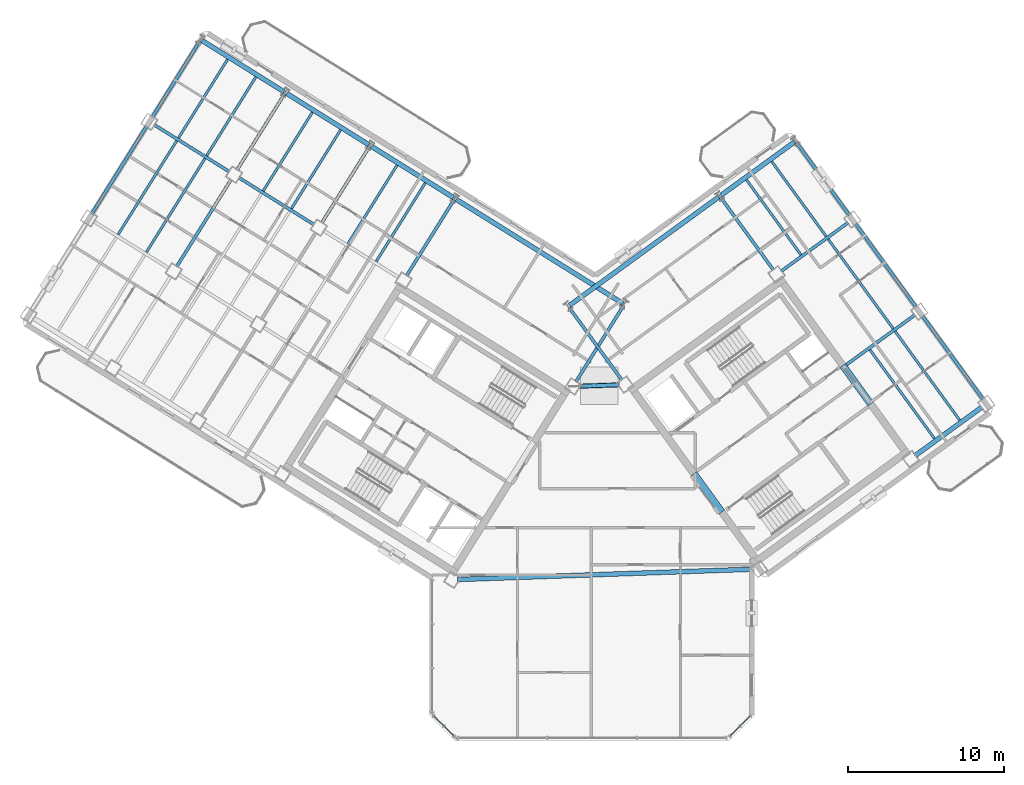
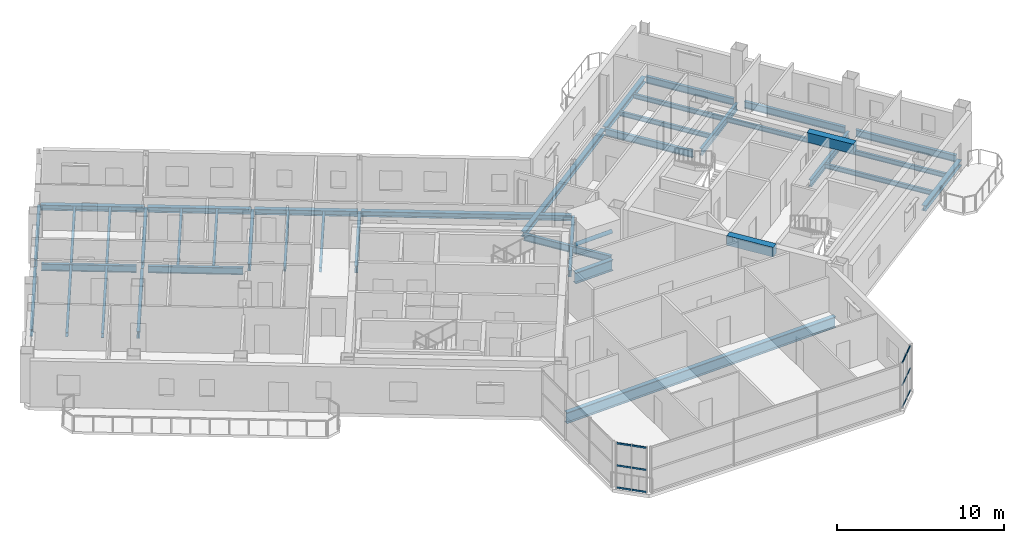
# One storey, part 7 of 23: 40 beams, 13 members, 2 elements without a shape of their own.
"""IFC4 building model written with IfcOpenShell, lengths in metres."""

from ifc_helpers import new_model, si_unit, direction, frame, origin, origin_2d, place, context, subcontext, project, spatial, rectangle, hollow_rectangle, hollow_circle, i_section, extrude, source, transform, mapped, material, material_profile, profile_set, type_object, element, aggregate, save


model = new_model("IFC4")

# Units and contexts
model_context = context("Model", 3, precision=1e-05, world=origin(), true_north=direction((0.0, 1.0)))
body_context = subcontext(model_context, "Body", "Model", "MODEL_VIEW")
ifc_project = project(units=[si_unit("LENGTHUNIT", "METRE"), si_unit("AREAUNIT", "SQUARE_METRE"), si_unit("VOLUMEUNIT", "CUBIC_METRE"), si_unit("PLANEANGLEUNIT", "RADIAN"), si_unit("MASSUNIT", "GRAM", prefix="KILO")], contexts=[model_context])

# Site, building, storey
site_placement = place(None, origin())
site = spatial("IfcSite", under=ifc_project, at=site_placement, CompositionType="ELEMENT")
building_placement = place(site_placement, origin())
building = spatial("IfcBuilding", under=site, at=building_placement, Name="Tlacorven Tower", CompositionType="ELEMENT")
storey_placement = place(building_placement, frame((0.0, 0.0, 218.39990234375)))
storey = spatial("IfcBuildingStorey", under=building, at=storey_placement, Name="L55", CompositionType="ELEMENT", Elevation=218.39990234375)

# Beams
ifc_material_1 = material(Name="Concrete C60/75", Category="concrete")
ifc_material_profile_1 = material_profile(ifc_material_1, rectangle(XDim=0.449951171875, YDim=0.699951171875, at=origin_2d()), Name="RC 450X700")
ifc_profile_set_1 = profile_set([ifc_material_profile_1], Name="Concrete C60/75")
beam_type_1 = type_object("IfcBeamType", Name="BM-LNT-700", PredefinedType="LINTEL", material=ifc_profile_set_1)
shared_shape_1 = source(origin(), body_context, "Body", "SweptSolid", [
    extrude(rectangle(XDim=0.449951171875, YDim=0.699951171875, at=origin_2d()), origin(), (0.0, 0.0, 1.0), 3.050048828125),
])
for number, where, z_axis, x_axis, name in (
    (1, (50.318359375, 16.416015625, 3.0), (-0.587776590479, 0.80902328748, 0.0), (-0.80902328748, -0.587776590479, 0.0), "L55 E core coupling lintel beam E1"),
    (2, (59.856689453125, 23.345947265625, 3.0), (-0.587776590479, 0.80902328748, 0.0), (-0.80902328748, -0.587776590479, 0.0), "L55 E core coupling lintel beam E2"),
):
    element("IfcBeam", number, at=place(storey_placement, frame(where, z_axis=z_axis, x_axis=x_axis)), inside=storey, type_object=beam_type_1, Name=name, PredefinedType="LINTEL", context=body_context, shape_type="MappedRepresentation", body=[
        mapped(shared_shape_1, transform((0.0, 0.0, 0.0), scale=1.0)),
    ])
ifc_material_2 = material(Name="Steel S355J2", Category="steel")
ifc_material_profile_2 = material_profile(ifc_material_2, i_section(OverallWidth=0.300048828125, OverallDepth=0.800048828125, WebThickness=0.017578125, FlangeThickness=0.032958984375, at=origin_2d()), Name="HEB 800")
ifc_profile_set_2 = profile_set([ifc_material_profile_2], Name="Steel S355J2")
beam_type_2 = type_object("IfcBeamType", Name="BM-POD-800", PredefinedType="BEAM", material=ifc_profile_set_2)
shared_shape_2 = source(origin(), body_context, "Body", "SweptSolid", [
    extrude(i_section(OverallWidth=0.300048828125, OverallDepth=0.800048828125, WebThickness=0.017578125, FlangeThickness=0.032958984375, at=origin_2d()), origin(), (0.0, 0.0, 1.0), 2.642822265625),
])
beam_1_placement = place(storey_placement, frame((41.1328125, 24.480712890625, -0.64990234375), z_axis=(0.999393314814, 0.034828182629, 0.0), x_axis=(-0.034828182629, 0.999393314814, 0.0)))
element("IfcBeam", 3, at=beam_1_placement, inside=storey, type_object=beam_type_2, Name="L55 Knuckle Link Girder 1", PredefinedType="BEAM", context=body_context, shape_type="MappedRepresentation", body=[
    mapped(shared_shape_2, transform((0.0, 0.0, 0.0), scale=1.0)),
])
ifc_material_profile_3 = material_profile(ifc_material_2, i_section(OverallWidth=0.199951171875, OverallDepth=0.5, WebThickness=0.01025390625, FlangeThickness=0.01611328125, at=origin_2d()), Name="IPE 500")
ifc_profile_set_3 = profile_set([ifc_material_profile_3], Name="Steel S355J2")
beam_type_3 = type_object("IfcBeamType", Name="BM-TWR-500", PredefinedType="BEAM", material=ifc_profile_set_3)
shared_shape_3 = source(origin(), body_context, "Body", "SweptSolid", [
    extrude(i_section(OverallWidth=0.199951171875, OverallDepth=0.5, WebThickness=0.01025390625, FlangeThickness=0.01611328125, at=origin_2d()), origin(), (0.0, 0.0, 1.0), 5.7001953125),
])
for number, where, z_axis, x_axis, name in (
    (4, (24.20361328125, 34.828369140625, -0.5), (-0.848056048787, 0.529906537151, 0.0), (-0.529906537151, -0.848056048787, 0.0), "L55 beam BM-L55-WL2-4"),
    (5, (18.776123046875, 38.2197265625, -0.5), (-0.848056048787, 0.529906537151, 0.0), (-0.529906537151, -0.848056048787, 0.0), "L55 beam BM-L55-WL2-5"),
):
    element("IfcBeam", number, at=place(storey_placement, frame(where, z_axis=z_axis, x_axis=x_axis)), inside=storey, type_object=beam_type_3, Name=name, PredefinedType="BEAM", context=body_context, shape_type="MappedRepresentation", body=[
        mapped(shared_shape_3, transform((0.0, 0.0, 0.0), scale=1.0)),
    ])
shared_shape_4 = source(origin(), body_context, "Body", "SweptSolid", [
    extrude(i_section(OverallWidth=0.199951171875, OverallDepth=0.5, WebThickness=0.01025390625, FlangeThickness=0.01611328125, at=origin_2d()), origin(), (0.0, 0.0, 1.0), 5.75),
])
for number, where, z_axis, x_axis, name in (
    (6, (44.015380859375, 29.6416015625, -0.5), (-0.529884439831, -0.848069855864, 0.0), (0.848069855864, -0.529884439831, 0.0), "L55 beam BM-L55-WT1-1"),
    (7, (33.160400390625, 36.424560546875, -0.5), (-0.529884439831, -0.848069855864, 0.0), (0.848069855864, -0.529884439831, 0.0), "L55 beam BM-L55-WT3-1"),
    (8, (27.73291015625, 39.81591796875, -0.5), (-0.529934056882, -0.848038852504, 0.0), (0.848038852504, -0.529934056882, 0.0), "L55 beam BM-L55-WT4-1"),
    (9, (16.8779296875, 46.598876953125, -0.5), (-0.529934056882, -0.848038852504, 0.0), (0.848038852504, -0.529934056882, 0.0), "L55 beam BM-L55-WT6-1"),
    (10, (43.91796875, 24.8681640625, -0.5), (-0.587770208527, 0.809027924097, 0.0), (-0.809027924097, -0.587770208527, 0.0), "L55 beam BM-L55-ET1-2"),
    (11, (53.626220703125, 31.921630859375, -0.5), (-0.587770208527, 0.809027924097, 0.0), (-0.809027924097, -0.587770208527, 0.0), "L55 beam BM-L55-ET3-2"),
    (12, (58.480224609375, 35.4482421875, -0.5), (-0.587770208527, 0.809027924097, 0.0), (-0.809027924097, -0.587770208527, 0.0), "L55 beam BM-L55-ET4-3"),
):
    element("IfcBeam", number, at=place(storey_placement, frame(where, z_axis=z_axis, x_axis=x_axis)), inside=storey, type_object=beam_type_3, Name=name, PredefinedType="BEAM", context=body_context, shape_type="MappedRepresentation", body=[
        mapped(shared_shape_4, transform((0.0, 0.0, 0.0), scale=1.0)),
    ])
shared_shape_5 = source(origin(), body_context, "Body", "SweptSolid", [
    extrude(i_section(OverallWidth=0.199951171875, OverallDepth=0.5, WebThickness=0.01025390625, FlangeThickness=0.01611328125, at=origin_2d()), origin(), (0.0, 0.0, 1.0), 6.599853515625),
])
beam_2_placement = place(storey_placement, frame((13.4599609375, 41.12890625, -0.5), z_axis=(-0.529942412256, -0.848033631227, 0.0), x_axis=(0.848033631227, -0.529942412256, 0.0)))
element("IfcBeam", 13, at=beam_2_placement, inside=storey, type_object=beam_type_3, Name="L55 beam BM-L55-WT6-2", PredefinedType="BEAM", context=body_context, shape_type="MappedRepresentation", body=[
    mapped(shared_shape_5, transform((0.0, 0.0, 0.0), scale=1.0)),
])
shared_shape_6 = source(origin(), body_context, "Body", "SweptSolid", [
    extrude(i_section(OverallWidth=0.199951171875, OverallDepth=0.5, WebThickness=0.01025390625, FlangeThickness=0.01611328125, at=origin_2d()), origin(), (0.0, 0.0, 1.0), 6.60009765625),
])
for number, where, z_axis, x_axis, name in (
    (14, (18.887451171875, 37.737548828125, -0.5), (-0.529925788294, -0.848044019436, 0.0), (0.848044019436, -0.529925788294, 0.0), "L55 beam BM-L55-WT5-2"),
    (15, (67.06201171875, 23.63671875, -0.5), (-0.587780128583, 0.809020716943, 0.0), (-0.809020716943, -0.587780128583, 0.0), "L55 beam BM-L55-ET4-1"),
    (16, (62.771240234375, 29.54248046875, -0.5), (-0.587780128583, 0.809020716943, 0.0), (-0.809020716943, -0.587780128583, 0.0), "L55 beam BM-L55-ET4-2"),
):
    element("IfcBeam", number, at=place(storey_placement, frame(where, z_axis=z_axis, x_axis=x_axis)), inside=storey, type_object=beam_type_3, Name=name, PredefinedType="BEAM", context=body_context, shape_type="MappedRepresentation", body=[
        mapped(shared_shape_6, transform((0.0, 0.0, 0.0), scale=1.0)),
    ])
shared_shape_7 = source(origin(), body_context, "Body", "SweptSolid", [
    extrude(i_section(OverallWidth=0.199951171875, OverallDepth=0.5, WebThickness=0.01025390625, FlangeThickness=0.01611328125, at=origin_2d()), origin(), (0.0, 0.0, 1.0), 5.750244140625),
])
beam_3_placement = place(storey_placement, frame((22.305419921875, 43.20751953125, -0.5), z_axis=(-0.529914976044, -0.848050775699, 0.0), x_axis=(0.848050775699, -0.529914976044, 0.0)))
element("IfcBeam", 17, at=beam_3_placement, inside=storey, type_object=beam_type_3, Name="L55 beam BM-L55-WT5-1", PredefinedType="BEAM", context=body_context, shape_type="MappedRepresentation", body=[
    mapped(shared_shape_7, transform((0.0, 0.0, 0.0), scale=1.0)),
])
shared_shape_8 = source(origin(), body_context, "Body", "SweptSolid", [
    extrude(i_section(OverallWidth=0.199951171875, OverallDepth=0.5, WebThickness=0.01025390625, FlangeThickness=0.01611328125, at=origin_2d()), origin(), (0.0, 0.0, 1.0), 5.300048828125),
])
beam_4_placement = place(storey_placement, frame((54.114990234375, 31.84423828125, -0.5), z_axis=(0.809022830186, 0.587777219904, 0.0), x_axis=(-0.587777219904, 0.809022830186, 0.0)))
element("IfcBeam", 18, at=beam_4_placement, inside=storey, type_object=beam_type_3, Name="L55 beam BM-L55-EL3-3", PredefinedType="BEAM", context=body_context, shape_type="MappedRepresentation", body=[
    mapped(shared_shape_8, transform((0.0, 0.0, 0.0), scale=1.0)),
])
shared_shape_9 = source(origin(), body_context, "Body", "SweptSolid", [
    extrude(i_section(OverallWidth=0.199951171875, OverallDepth=0.5, WebThickness=0.01025390625, FlangeThickness=0.01611328125, at=origin_2d()), origin(), (0.0, 0.0, 1.0), 5.6103515625),
])
beam_5_placement = place(storey_placement, frame((58.155029296875, 25.756103515625, -0.5), z_axis=(0.809020142627, 0.587780919071, 0.0), x_axis=(-0.587780919071, 0.809020142627, 0.0)))
element("IfcBeam", 19, at=beam_5_placement, inside=storey, type_object=beam_type_3, Name="L55 beam BM-L55-EL2-3", PredefinedType="BEAM", context=body_context, shape_type="MappedRepresentation", body=[
    mapped(shared_shape_9, transform((0.0, 0.0, 0.0), scale=1.0)),
])
shared_shape_10 = source(origin(), body_context, "Body", "SweptSolid", [
    extrude(i_section(OverallWidth=0.300048828125, OverallDepth=0.800048828125, WebThickness=0.017578125, FlangeThickness=0.032958984375, at=origin_2d()), origin(), (0.0, 0.0, 1.0), 18.97119140625),
])
beam_6_placement = place(storey_placement, frame((33.39599609375, 12.09912109375, -0.64990234375), z_axis=(0.999390787537, 0.034900627304, 0.0), x_axis=(-0.034900627304, 0.999390787537, 0.0)))
element("IfcBeam", 20, at=beam_6_placement, inside=storey, type_object=beam_type_2, Name="L55 Knuckle Link Girder 2", PredefinedType="BEAM", context=body_context, shape_type="MappedRepresentation", body=[
    mapped(shared_shape_10, transform((0.0, 0.0, 0.0), scale=1.0)),
])

# Member
ifc_material_profile_4 = material_profile(ifc_material_2, hollow_circle(Radius=0.136474609375, WallThickness=0.012451171875, at=origin_2d()), Name="CHS 273.0X12.5")
ifc_profile_set_4 = profile_set([ifc_material_profile_4], Name="Steel S355J2")
member_type_1 = type_object("IfcMemberType", Name="MB-TRB-STR", PredefinedType="STRUT", material=ifc_profile_set_4)
shared_shape_11 = source(origin(), body_context, "Body", "SweptSolid", [
    extrude(hollow_circle(Radius=0.136474609375, WallThickness=0.012451171875, at=origin_2d()), origin(), (0.0, 0.0, 1.0), 2.58251953125),
])
member_1_placement = place(storey_placement, frame((41.162841796875, 24.481689453125, 1.75), z_axis=(0.999391428181, 0.034882277431, 0.0), x_axis=(-0.034882277431, 0.999391428181, 0.0)))
element("IfcMember", 21, at=member_1_placement, inside=storey, type_object=member_type_1, Name="L55 Venturi Wind-Turbine Slot Ring Strut", PredefinedType="STRUT", context=body_context, shape_type="MappedRepresentation", body=[
    mapped(shared_shape_11, transform((0.0, 0.0, 0.0), scale=1.0)),
])

# Beams
ifc_material_profile_5 = material_profile(ifc_material_2, i_section(OverallWidth=0.159912109375, OverallDepth=0.330078125, WebThickness=0.007568359375, FlangeThickness=0.011474609375, at=origin_2d()), Name="IPE 330")
ifc_profile_set_5 = profile_set([ifc_material_profile_5], Name="Steel S355J2")
beam_type_4 = type_object("IfcBeamType", Name="BM-JST-330", PredefinedType="JOIST", material=ifc_profile_set_5)
shared_shape_12 = source(origin(), body_context, "Body", "SweptSolid", [
    extrude(i_section(OverallWidth=0.159912109375, OverallDepth=0.330078125, WebThickness=0.007568359375, FlangeThickness=0.011474609375, at=origin_2d()), origin(), (0.0, 0.0, 1.0), 7.0400390625),
])
beam_7_placement = place(storey_placement, frame((63.9404296875, 21.127685546875, -0.414794921875), z_axis=(-0.587773661987, 0.809025415098, 0.0), x_axis=(-0.809025415098, -0.587773661987, 0.0)))
element("IfcBeam", 22, at=beam_7_placement, inside=storey, type_object=beam_type_4, Name="L55 beam BM-L55-EJ3-1-1", PredefinedType="JOIST", context=body_context, shape_type="MappedRepresentation", body=[
    mapped(shared_shape_12, transform((0.0, 0.0, 0.0), scale=1.0)),
])
shared_shape_13 = source(origin(), body_context, "Body", "SweptSolid", [
    extrude(i_section(OverallWidth=0.159912109375, OverallDepth=0.330078125, WebThickness=0.007568359375, FlangeThickness=0.011474609375, at=origin_2d()), origin(), (0.0, 0.0, 1.0), 5.940185546875),
])
for number, where, z_axis, x_axis, name in (
    (23, (29.512939453125, 38.638916015625, -0.414794921875), (-0.529902882565, -0.848058332339, 0.0), (0.848058332339, -0.529902882565, 0.0), "L55 beam BM-L55-WJ3-1-2"),
    (24, (25.894775390625, 40.899658203125, -0.414794921875), (-0.529950911506, -0.848028319924, 0.0), (0.848028319924, -0.529950911506, 0.0), "L55 beam BM-L55-WJ4-1-1"),
    (25, (18.657958984375, 45.421875, -0.414794921875), (-0.529902882565, -0.848058332339, 0.0), (0.848058332339, -0.529902882565, 0.0), "L55 beam BM-L55-WJ5-1-2"),
    (26, (55.38818359375, 32.89892578125, -0.414794921875), (-0.587778174144, 0.809022136903, 0.0), (-0.809022136903, -0.587778174144, 0.0), "L55 beam BM-L55-EJ3-3-1"),
    (27, (57.00634765625, 34.074462890625, -0.414794921875), (-0.587778174144, 0.809022136903, 0.0), (-0.809022136903, -0.587778174144, 0.0), "L55 beam BM-L55-EJ3-3-2"),
):
    element("IfcBeam", number, at=place(storey_placement, frame(where, z_axis=z_axis, x_axis=x_axis)), inside=storey, type_object=beam_type_4, Name=name, PredefinedType="JOIST", context=body_context, shape_type="MappedRepresentation", body=[
        mapped(shared_shape_13, transform((0.0, 0.0, 0.0), scale=1.0)),
    ])
shared_shape_14 = source(origin(), body_context, "Body", "SweptSolid", [
    extrude(i_section(OverallWidth=0.159912109375, OverallDepth=0.330078125, WebThickness=0.007568359375, FlangeThickness=0.011474609375, at=origin_2d()), origin(), (0.0, 0.0, 1.0), 7.090087890625),
])
for number, where, z_axis, x_axis, name in (
    (28, (17.208251953125, 39.07568359375, -0.414794921875), (-0.529937035031, -0.848036991471, 0.0), (0.848036991471, -0.529937035031, 0.0), "L55 beam BM-L55-WJ5-2-1"),
    (29, (15.39892578125, 40.206298828125, -0.414794921875), (-0.529912270669, -0.84805246618, 0.0), (0.84805246618, -0.529912270669, 0.0), "L55 beam BM-L55-WJ5-2-2"),
    (30, (61.297119140625, 28.168701171875, -0.414794921875), (-0.587782622309, 0.809018905164, 0.0), (-0.809018905164, -0.587782622309, 0.0), "L55 beam BM-L55-EJ3-2-2"),
):
    element("IfcBeam", number, at=place(storey_placement, frame(where, z_axis=z_axis, x_axis=x_axis)), inside=storey, type_object=beam_type_4, Name=name, PredefinedType="JOIST", context=body_context, shape_type="MappedRepresentation", body=[
        mapped(shared_shape_14, transform((0.0, 0.0, 0.0), scale=1.0)),
    ])
shared_shape_15 = source(origin(), body_context, "Body", "SweptSolid", [
    extrude(i_section(OverallWidth=0.159912109375, OverallDepth=0.330078125, WebThickness=0.007568359375, FlangeThickness=0.011474609375, at=origin_2d()), origin(), (0.0, 0.0, 1.0), 5.93994140625),
])
for number, where, z_axis, x_axis, name in (
    (31, (31.322265625, 37.50830078125, -0.414794921875), (-0.529921352973, -0.848046790963, 0.0), (0.848046790963, -0.529921352973, 0.0), "L55 beam BM-L55-WJ3-1-1"),
    (32, (24.08544921875, 42.0302734375, -0.414794921875), (-0.529921352973, -0.848046790963, 0.0), (0.848046790963, -0.529921352973, 0.0), "L55 beam BM-L55-WJ4-1-2"),
    (33, (20.467041015625, 44.291259765625, -0.414794921875), (-0.529921352973, -0.848046790963, 0.0), (0.848046790963, -0.529921352973, 0.0), "L55 beam BM-L55-WJ5-1-1"),
):
    element("IfcBeam", number, at=place(storey_placement, frame(where, z_axis=z_axis, x_axis=x_axis)), inside=storey, type_object=beam_type_4, Name=name, PredefinedType="JOIST", context=body_context, shape_type="MappedRepresentation", body=[
        mapped(shared_shape_15, transform((0.0, 0.0, 0.0), scale=1.0)),
    ])
shared_shape_16 = source(origin(), body_context, "Body", "SweptSolid", [
    extrude(i_section(OverallWidth=0.159912109375, OverallDepth=0.330078125, WebThickness=0.007568359375, FlangeThickness=0.011474609375, at=origin_2d()), origin(), (0.0, 0.0, 1.0), 7.039794921875),
])
beam_8_placement = place(storey_placement, frame((65.55859375, 22.303466796875, -0.414794921875), z_axis=(-0.587790152999, 0.809013433781, 0.0), x_axis=(-0.809013433781, -0.587790152999, 0.0)))
element("IfcBeam", 34, at=beam_8_placement, inside=storey, type_object=beam_type_4, Name="L55 beam BM-L55-EJ3-1-2", PredefinedType="JOIST", context=body_context, shape_type="MappedRepresentation", body=[
    mapped(shared_shape_16, transform((0.0, 0.0, 0.0), scale=1.0)),
])
ifc_material_profile_6 = material_profile(ifc_material_2, i_section(OverallWidth=0.300048828125, OverallDepth=0.389892578125, WebThickness=0.010986328125, FlangeThickness=0.01904296875, at=origin_2d()), Name="HEA 400")
ifc_profile_set_6 = profile_set([ifc_material_profile_6], Name="Steel S355J2")
beam_type_5 = type_object("IfcBeamType", Name="BM-SPN-400", PredefinedType="SPANDREL", material=ifc_profile_set_6)
shared_shape_17 = source(origin(), body_context, "Body", "SweptSolid", [
    extrude(i_section(OverallWidth=0.300048828125, OverallDepth=0.389892578125, WebThickness=0.010986328125, FlangeThickness=0.01904296875, at=origin_2d()), origin(), (0.0, 0.0, 1.0), 12.599853515625),
])
beam_9_placement = place(storey_placement, frame((43.983642578125, 29.779296875, -0.44482421875), z_axis=(-0.848045108756, 0.529924045043, 0.0), x_axis=(-0.529924045043, -0.848045108756, 0.0)))
element("IfcBeam", 35, at=beam_9_placement, inside=storey, type_object=beam_type_5, Name="L55 beam BM-L55-WL1-1", PredefinedType="SPANDREL", context=body_context, shape_type="MappedRepresentation", body=[
    mapped(shared_shape_17, transform((0.0, 0.0, 0.0), scale=1.0)),
])
shared_shape_18 = source(origin(), body_context, "Body", "SweptSolid", [
    extrude(i_section(OverallWidth=0.300048828125, OverallDepth=0.389892578125, WebThickness=0.010986328125, FlangeThickness=0.01904296875, at=origin_2d()), origin(), (0.0, 0.0, 1.0), 6.199951171875),
])
beam_10_placement = place(storey_placement, frame((33.128662109375, 36.562255859375, -0.44482421875), z_axis=(-0.848051394107, 0.529913986372, 0.0), x_axis=(-0.529913986372, -0.848051394107, 0.0)))
element("IfcBeam", 36, at=beam_10_placement, inside=storey, type_object=beam_type_5, Name="L55 beam BM-L55-WL1-3", PredefinedType="SPANDREL", context=body_context, shape_type="MappedRepresentation", body=[
    mapped(shared_shape_18, transform((0.0, 0.0, 0.0), scale=1.0)),
])
shared_shape_19 = source(origin(), body_context, "Body", "SweptSolid", [
    extrude(i_section(OverallWidth=0.300048828125, OverallDepth=0.389892578125, WebThickness=0.010986328125, FlangeThickness=0.01904296875, at=origin_2d()), origin(), (0.0, 0.0, 1.0), 6.2001953125),
])
for number, where, z_axis, x_axis, name in (
    (37, (27.701171875, 39.95361328125, -0.44482421875), (-0.84804475579, 0.5299246099, 0.0), (-0.5299246099, -0.84804475579, 0.0), "L55 beam BM-L55-WL1-4"),
    (38, (22.273681640625, 43.34521484375, -0.44482421875), (-0.848062451332, 0.529896290457, 0.0), (-0.529896290457, -0.848062451332, 0.0), "L55 beam BM-L55-WL1-5"),
):
    element("IfcBeam", number, at=place(storey_placement, frame(where, z_axis=z_axis, x_axis=x_axis)), inside=storey, type_object=beam_type_5, Name=name, PredefinedType="SPANDREL", context=body_context, shape_type="MappedRepresentation", body=[
        mapped(shared_shape_19, transform((0.0, 0.0, 0.0), scale=1.0)),
    ])
shared_shape_20 = source(origin(), body_context, "Body", "SweptSolid", [
    extrude(i_section(OverallWidth=0.300048828125, OverallDepth=0.389892578125, WebThickness=0.010986328125, FlangeThickness=0.01904296875, at=origin_2d()), origin(), (0.0, 0.0, 1.0), 5.300048828125),
])
beam_11_placement = place(storey_placement, frame((62.69677734375, 20.032470703125, -0.44482421875), z_axis=(0.809022830186, 0.587777219904, 0.0), x_axis=(-0.587777219904, 0.809022830186, 0.0)))
element("IfcBeam", 39, at=beam_11_placement, inside=storey, type_object=beam_type_5, Name="L55 beam BM-L55-EL1-3", PredefinedType="SPANDREL", context=body_context, shape_type="MappedRepresentation", body=[
    mapped(shared_shape_20, transform((0.0, 0.0, 0.0), scale=1.0)),
])
shared_shape_21 = source(origin(), body_context, "Body", "SweptSolid", [
    extrude(i_section(OverallWidth=0.300048828125, OverallDepth=0.389892578125, WebThickness=0.010986328125, FlangeThickness=0.01904296875, at=origin_2d()), origin(), (0.0, 0.0, 1.0), 11.800048828125),
])
beam_12_placement = place(storey_placement, frame((40.560302734375, 29.65966796875, -0.44482421875), z_axis=(0.80900977213, 0.587795192732, 0.0), x_axis=(-0.587795192732, 0.80900977213, 0.0)))
element("IfcBeam", 40, at=beam_12_placement, inside=storey, type_object=beam_type_5, Name="L55 beam BM-L55-EL4-1", PredefinedType="SPANDREL", context=body_context, shape_type="MappedRepresentation", body=[
    mapped(shared_shape_21, transform((0.0, 0.0, 0.0), scale=1.0)),
])
shared_shape_22 = source(origin(), body_context, "Body", "SweptSolid", [
    extrude(i_section(OverallWidth=0.300048828125, OverallDepth=0.389892578125, WebThickness=0.010986328125, FlangeThickness=0.01904296875, at=origin_2d()), origin(), (0.0, 0.0, 1.0), 5.800048828125),
])
beam_13_placement = place(storey_placement, frame((50.2685546875, 36.713134765625, -0.44482421875), z_axis=(0.809019944521, 0.587781191743, 0.0), x_axis=(-0.587781191743, 0.809019944521, 0.0)))
element("IfcBeam", 41, at=beam_13_placement, inside=storey, type_object=beam_type_5, Name="L55 beam BM-L55-EL4-3", PredefinedType="SPANDREL", context=body_context, shape_type="MappedRepresentation", body=[
    mapped(shared_shape_22, transform((0.0, 0.0, 0.0), scale=1.0)),
])

# Curtain wall, members
ifc_material_3 = material(Name="Dark solar low-E double glazing in aluminium frame", Category="aluminium")
curtain_wall_type = type_object("IfcCurtainWallType", Name="CW-TWR-HIGH", PredefinedType="USERDEFINED", material=ifc_material_3)
curtain_wall_1_placement = place(storey_placement, origin())
curtain_wall_1 = element("IfcCurtainWall", 42, at=curtain_wall_1_placement, inside=storey, type_object=curtain_wall_type, Name="L55 CW-TWR-HIGH Curtain Wall 249", ObjectType="UNITISED CURTAIN WALL", PredefinedType="USERDEFINED")
ifc_material_4 = material(Name="Aluminium 6063-T6 anodised", Category="aluminium")
ifc_material_profile_7 = material_profile(ifc_material_4, hollow_rectangle(XDim=0.054931640625, YDim=0.1201171875, WallThickness=0.00341796875, at=origin_2d()), Name="ALU TRANSOM 55X120")
ifc_profile_set_7 = profile_set([ifc_material_profile_7], Name="Aluminium 6063-T6 anodised")
member_type_2 = type_object("IfcMemberType", Name="CWT-03", PredefinedType="USERDEFINED", material=ifc_profile_set_7)
shared_shape_23 = source(origin(), body_context, "Body", "SweptSolid", [
    extrude(hollow_rectangle(XDim=0.054931640625, YDim=0.1201171875, WallThickness=0.00341796875, at=origin_2d()), origin(), (0.0, 0.0, 1.0), 0.899169921875),
])
member_2_placement = place(storey_placement, frame((52.13525390625, 3.361572265625, 0.06005859375), z_axis=(-0.707106781187, -0.707106781187, 0.0), x_axis=(0.707106781187, -0.707106781187, 0.0)))
member_2 = element("IfcMember", 43, at=member_2_placement, type_object=member_type_2, Name="CW-L55-249 Transom 1", ObjectType="TRANSOM", PredefinedType="USERDEFINED", context=body_context, shape_type="MappedRepresentation", body=[
    mapped(shared_shape_23, transform((0.0, 0.0, 0.0), scale=1.0)),
])
member_3_placement = place(storey_placement, frame((52.13525390625, 3.361572265625, 1.675048828125), z_axis=(-0.707106781187, -0.707106781187, 0.0), x_axis=(0.707106781187, -0.707106781187, 0.0)))
member_3 = element("IfcMember", 44, at=member_3_placement, type_object=member_type_2, Name="CW-L55-249 Transom 2", ObjectType="TRANSOM", PredefinedType="USERDEFINED", context=body_context, shape_type="MappedRepresentation", body=[
    mapped(shared_shape_23, transform((0.0, 0.0, 0.0), scale=1.0)),
])
member_4_placement = place(storey_placement, frame((52.13525390625, 3.361572265625, 3.2900390625), z_axis=(-0.707106781187, -0.707106781187, 0.0), x_axis=(0.707106781187, -0.707106781187, 0.0)))
member_4 = element("IfcMember", 45, at=member_4_placement, type_object=member_type_2, Name="CW-L55-249 Transom 3", ObjectType="TRANSOM", PredefinedType="USERDEFINED", context=body_context, shape_type="MappedRepresentation", body=[
    mapped(shared_shape_23, transform((0.0, 0.0, 0.0), scale=1.0)),
])
member_5_placement = place(storey_placement, frame((51.47412109375, 2.700439453125, 0.06005859375), z_axis=(-0.707106781187, -0.707106781187, 0.0), x_axis=(0.707106781187, -0.707106781187, 0.0)))
member_5 = element("IfcMember", 46, at=member_5_placement, type_object=member_type_2, Name="CW-L55-249 Transom 4", ObjectType="TRANSOM", PredefinedType="USERDEFINED", context=body_context, shape_type="MappedRepresentation", body=[
    mapped(shared_shape_23, transform((0.0, 0.0, 0.0), scale=1.0)),
])
member_6_placement = place(storey_placement, frame((51.47412109375, 2.700439453125, 1.675048828125), z_axis=(-0.707106781187, -0.707106781187, 0.0), x_axis=(0.707106781187, -0.707106781187, 0.0)))
member_6 = element("IfcMember", 47, at=member_6_placement, type_object=member_type_2, Name="CW-L55-249 Transom 5", ObjectType="TRANSOM", PredefinedType="USERDEFINED", context=body_context, shape_type="MappedRepresentation", body=[
    mapped(shared_shape_23, transform((0.0, 0.0, 0.0), scale=1.0)),
])
member_7_placement = place(storey_placement, frame((51.47412109375, 2.700439453125, 3.2900390625), z_axis=(-0.707106781187, -0.707106781187, 0.0), x_axis=(0.707106781187, -0.707106781187, 0.0)))
member_7 = element("IfcMember", 48, at=member_7_placement, type_object=member_type_2, Name="CW-L55-249 Transom 6", ObjectType="TRANSOM", PredefinedType="USERDEFINED", context=body_context, shape_type="MappedRepresentation", body=[
    mapped(shared_shape_23, transform((0.0, 0.0, 0.0), scale=1.0)),
])
aggregate(curtain_wall_1, [member_2, member_3, member_4, member_5, member_6, member_7])

curtain_wall_2_placement = place(storey_placement, origin())
curtain_wall_2 = element("IfcCurtainWall", 49, at=curtain_wall_2_placement, inside=storey, type_object=curtain_wall_type, Name="L55 CW-TWR-HIGH Curtain Wall 251", ObjectType="UNITISED CURTAIN WALL", PredefinedType="USERDEFINED")
member_8_placement = place(storey_placement, frame((33.16162109375, 2.064697265625, 0.06005859375), z_axis=(-0.707106781187, 0.707106781187, 0.0), x_axis=(-0.707106781187, -0.707106781187, 0.0)))
member_8 = element("IfcMember", 50, at=member_8_placement, type_object=member_type_2, Name="CW-L55-251 Transom 1", ObjectType="TRANSOM", PredefinedType="USERDEFINED", context=body_context, shape_type="MappedRepresentation", body=[
    mapped(shared_shape_23, transform((0.0, 0.0, 0.0), scale=1.0)),
])
member_9_placement = place(storey_placement, frame((33.16162109375, 2.064697265625, 1.675048828125), z_axis=(-0.707106781187, 0.707106781187, 0.0), x_axis=(-0.707106781187, -0.707106781187, 0.0)))
member_9 = element("IfcMember", 51, at=member_9_placement, type_object=member_type_2, Name="CW-L55-251 Transom 2", ObjectType="TRANSOM", PredefinedType="USERDEFINED", context=body_context, shape_type="MappedRepresentation", body=[
    mapped(shared_shape_23, transform((0.0, 0.0, 0.0), scale=1.0)),
])
member_10_placement = place(storey_placement, frame((33.16162109375, 2.064697265625, 3.2900390625), z_axis=(-0.707106781187, 0.707106781187, 0.0), x_axis=(-0.707106781187, -0.707106781187, 0.0)))
member_10 = element("IfcMember", 52, at=member_10_placement, type_object=member_type_2, Name="CW-L55-251 Transom 3", ObjectType="TRANSOM", PredefinedType="USERDEFINED", context=body_context, shape_type="MappedRepresentation", body=[
    mapped(shared_shape_23, transform((0.0, 0.0, 0.0), scale=1.0)),
])
member_11_placement = place(storey_placement, frame((32.50048828125, 2.725830078125, 0.06005859375), z_axis=(-0.707106781187, 0.707106781187, 0.0), x_axis=(-0.707106781187, -0.707106781187, 0.0)))
member_11 = element("IfcMember", 53, at=member_11_placement, type_object=member_type_2, Name="CW-L55-251 Transom 4", ObjectType="TRANSOM", PredefinedType="USERDEFINED", context=body_context, shape_type="MappedRepresentation", body=[
    mapped(shared_shape_23, transform((0.0, 0.0, 0.0), scale=1.0)),
])
member_12_placement = place(storey_placement, frame((32.50048828125, 2.725830078125, 1.675048828125), z_axis=(-0.707106781187, 0.707106781187, 0.0), x_axis=(-0.707106781187, -0.707106781187, 0.0)))
member_12 = element("IfcMember", 54, at=member_12_placement, type_object=member_type_2, Name="CW-L55-251 Transom 5", ObjectType="TRANSOM", PredefinedType="USERDEFINED", context=body_context, shape_type="MappedRepresentation", body=[
    mapped(shared_shape_23, transform((0.0, 0.0, 0.0), scale=1.0)),
])
member_13_placement = place(storey_placement, frame((32.50048828125, 2.725830078125, 3.2900390625), z_axis=(-0.707106781187, 0.707106781187, 0.0), x_axis=(-0.707106781187, -0.707106781187, 0.0)))
member_13 = element("IfcMember", 55, at=member_13_placement, type_object=member_type_2, Name="CW-L55-251 Transom 6", ObjectType="TRANSOM", PredefinedType="USERDEFINED", context=body_context, shape_type="MappedRepresentation", body=[
    mapped(shared_shape_23, transform((0.0, 0.0, 0.0), scale=1.0)),
])
aggregate(curtain_wall_2, [member_8, member_9, member_10, member_11, member_12, member_13])

save(model, "model.ifc")
